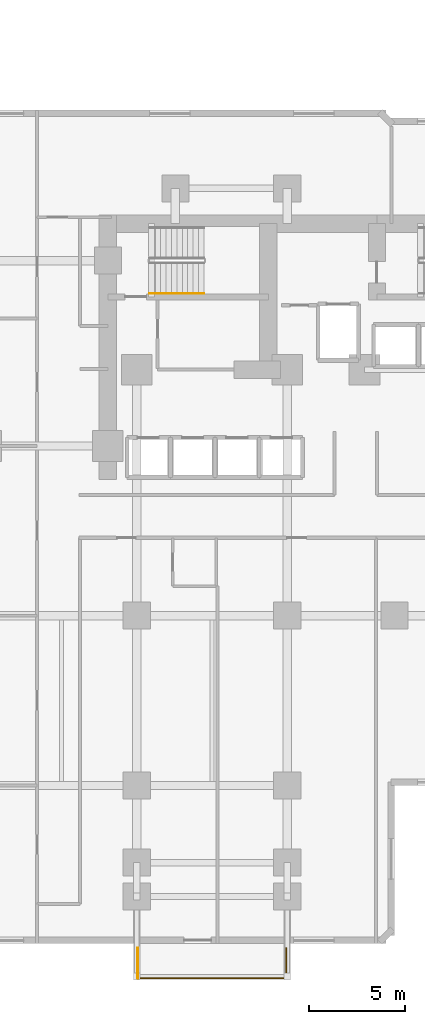
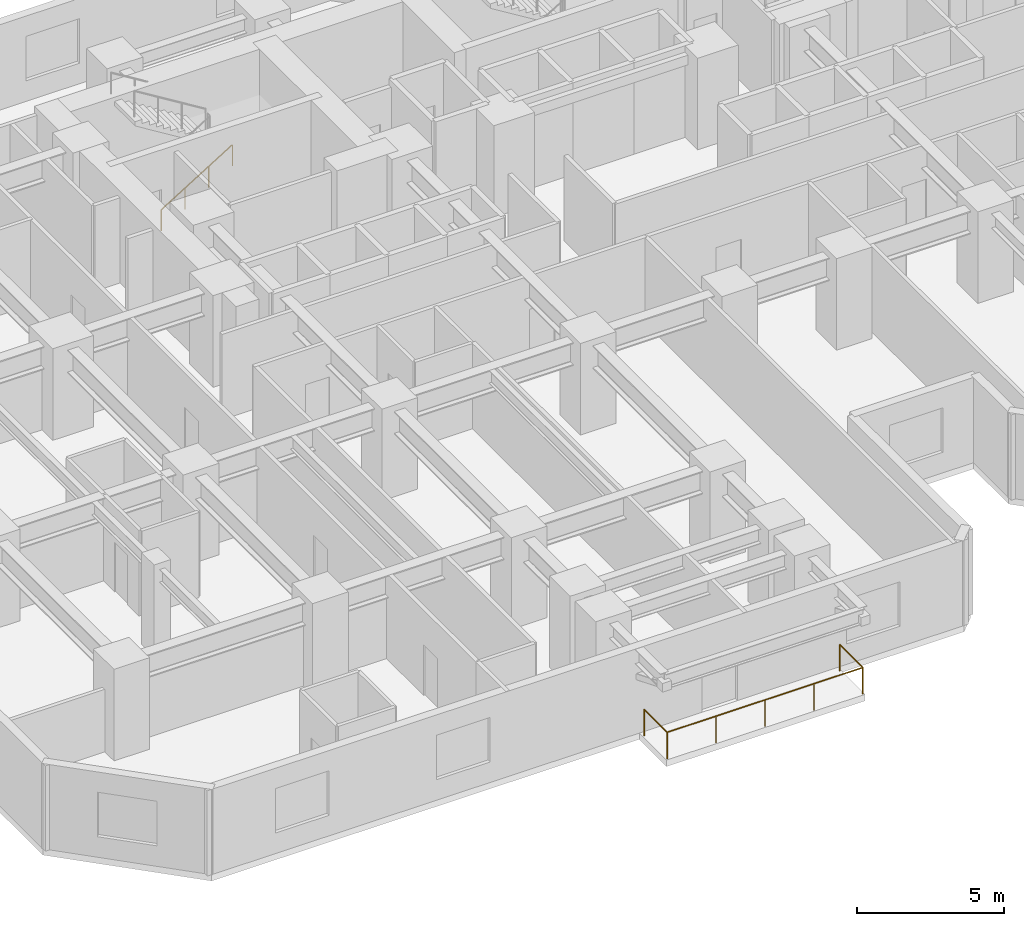
# One storey, part 11 of 12: 3 railings.
"""IFC4 building model written with IfcOpenShell, lengths in metres."""

from ifc_helpers import new_model, si_unit, direction, frame, origin, origin_2d, place, context, subcontext, project, spatial, circle, extrude, material, type_object, element, save


model = new_model("IFC4")

# Units and contexts
model_context = context("Model", 3, precision=1e-05, world=origin(), true_north=direction((0.0, 1.0)))
body_context = subcontext(model_context, "Body", "Model", "MODEL_VIEW")
ifc_project = project(units=[si_unit("LENGTHUNIT", "METRE"), si_unit("AREAUNIT", "SQUARE_METRE"), si_unit("VOLUMEUNIT", "CUBIC_METRE"), si_unit("PLANEANGLEUNIT", "RADIAN"), si_unit("MASSUNIT", "GRAM", prefix="KILO")], contexts=[model_context])

# Site, building, storey
site_placement = place(None, origin())
site = spatial("IfcSite", under=ifc_project, at=site_placement, CompositionType="ELEMENT")
building_placement = place(site_placement, origin())
building = spatial("IfcBuilding", under=site, at=building_placement, Name="Kestravale Grand Hotel", CompositionType="ELEMENT")
storey_placement = place(building_placement, frame((0.0, 0.0, 60.199951171875)))
storey = spatial("IfcBuildingStorey", under=building, at=storey_placement, Name="L14", CompositionType="ELEMENT", Elevation=60.199951171875)

# Railings
ifc_material_1 = material(Name="Champagne-bronze stainless steel and laminated glass guard", Category="steel")
railing_type_1 = type_object("IfcRailingType", Name="RL-EXT-1100", PredefinedType="GUARDRAIL", material=ifc_material_1)
railing_1_placement = place(storey_placement, frame((23.4599609375, 1.2099609375, 0.0)))
element("IfcRailing", 1, at=railing_1_placement, inside=storey, type_object=railing_type_1, Name="L14 outdoor terrace guard 1", PredefinedType="GUARDRAIL", context=body_context, shape_type="SweptSolid", body=[
    extrude(circle(Radius=0.02392578125, at=origin_2d()), frame((0.0, 0.0, 1.09619140625), z_axis=(0.0, 1.0, 0.0), x_axis=(-1.0, 0.0, 0.0)), (0.0, 0.0, 1.0), 1.570068359375),
    extrude(circle(Radius=0.02099609375, at=origin_2d()), origin(), (0.0, 0.0, 1.0), 1.072021484375),
    extrude(circle(Radius=0.02099609375, at=origin_2d()), frame((0.0, 1.570068359375, 0.0)), (0.0, 0.0, 1.0), 1.072021484375),
])
railing_2_placement = place(storey_placement, frame((31.139892578125, 2.780029296875, 0.0)))
element("IfcRailing", 2, at=railing_2_placement, inside=storey, type_object=railing_type_1, Name="L14 outdoor terrace guard 2", PredefinedType="GUARDRAIL", context=body_context, shape_type="SweptSolid", body=[
    extrude(circle(Radius=0.02392578125, at=origin_2d()), frame((0.0, 0.0, 1.09619140625), z_axis=(0.0, -1.0, 0.0), x_axis=(1.0, 0.0, 0.0)), (0.0, 0.0, 1.0), 1.570068359375),
    extrude(circle(Radius=0.02392578125, at=origin_2d()), frame((0.0, -1.570068359375, 1.09619140625), z_axis=(-1.0, 0.0, 0.0), x_axis=(0.0, -1.0, 0.0)), (0.0, 0.0, 1.0), 7.679931640625),
    extrude(circle(Radius=0.02099609375, at=origin_2d()), origin(), (0.0, 0.0, 1.0), 1.072021484375),
    extrude(circle(Radius=0.02099609375, at=origin_2d()), frame((0.0, -1.570068359375, 0.0)), (0.0, 0.0, 1.0), 1.072021484375),
    extrude(circle(Radius=0.02099609375, at=origin_2d()), frame((-1.919921875, -1.570068359375, 0.0)), (0.0, 0.0, 1.0), 1.072021484375),
    extrude(circle(Radius=0.02099609375, at=origin_2d()), frame((-3.83984375, -1.570068359375, 0.0)), (0.0, 0.0, 1.0), 1.072021484375),
    extrude(circle(Radius=0.02099609375, at=origin_2d()), frame((-5.760009765625, -1.570068359375, 0.0)), (0.0, 0.0, 1.0), 1.072021484375),
    extrude(circle(Radius=0.02099609375, at=origin_2d()), frame((-7.679931640625, -1.570068359375, 0.0)), (0.0, 0.0, 1.0), 1.072021484375),
])
ifc_material_2 = material(Name="Brushed stainless steel wall handrail", Category="steel")
railing_type_2 = type_object("IfcRailingType", Name="RL-ST-HND900", PredefinedType="HANDRAIL", material=ifc_material_2)
railing_3_placement = place(storey_placement, frame((24.080078125, 36.699951171875, 0.1728515625)))
element("IfcRailing", 3, at=railing_3_placement, inside=storey, type_object=railing_type_2, Name="L14 ST-1 stair handrail 1", PredefinedType="HANDRAIL", context=body_context, shape_type="SweptSolid", body=[
    extrude(circle(Radius=0.02392578125, at=origin_2d()), frame((0.0, 0.0, 0.8759765625), z_axis=(0.851069175582, 0.0, 0.525053576669), x_axis=(0.0, 1.0, 0.0)), (0.0, 0.0, 1.0), 3.289794921875),
    extrude(circle(Radius=0.02099609375, at=origin_2d()), origin(), (0.0, 0.0, 1.0), 0.851806640625),
    extrude(circle(Radius=0.02099609375, at=origin_2d()), frame((0.933349609375, 0.0, 0.57568359375)), (0.0, 0.0, 1.0), 0.851806640625),
    extrude(circle(Radius=0.02099609375, at=origin_2d()), frame((1.866455078125, 0.0, 1.151611328125)), (0.0, 0.0, 1.0), 0.851806640625),
    extrude(circle(Radius=0.02099609375, at=origin_2d()), frame((2.7998046875, 0.0, 1.727294921875)), (0.0, 0.0, 1.0), 0.851806640625),
])

save(model, "model.ifc")
